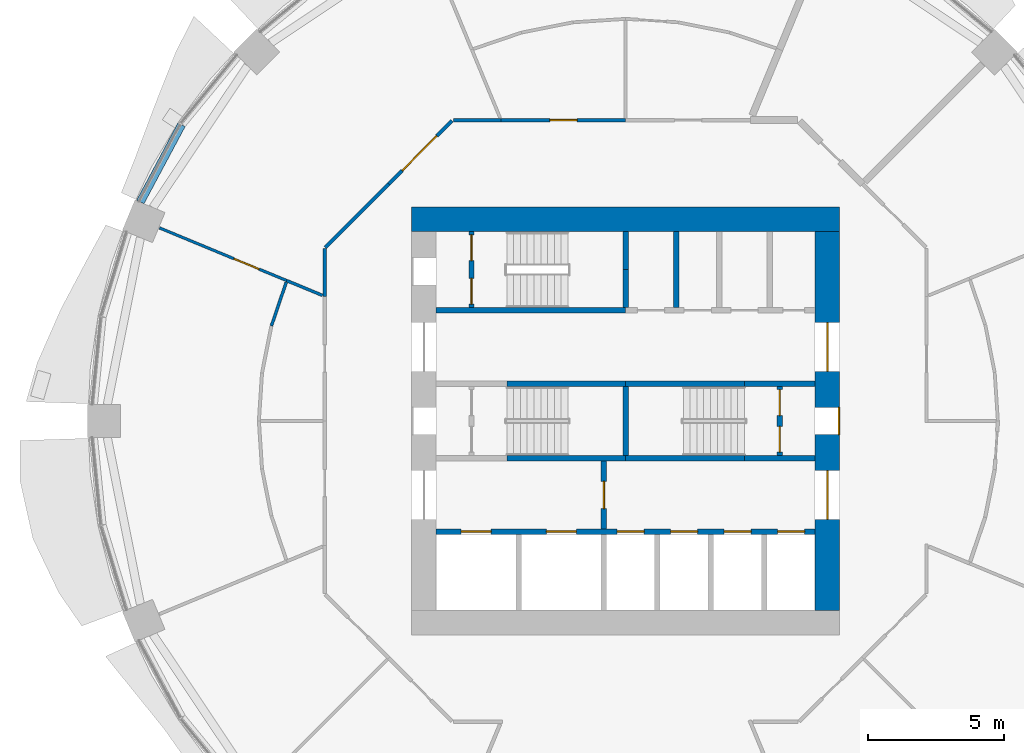
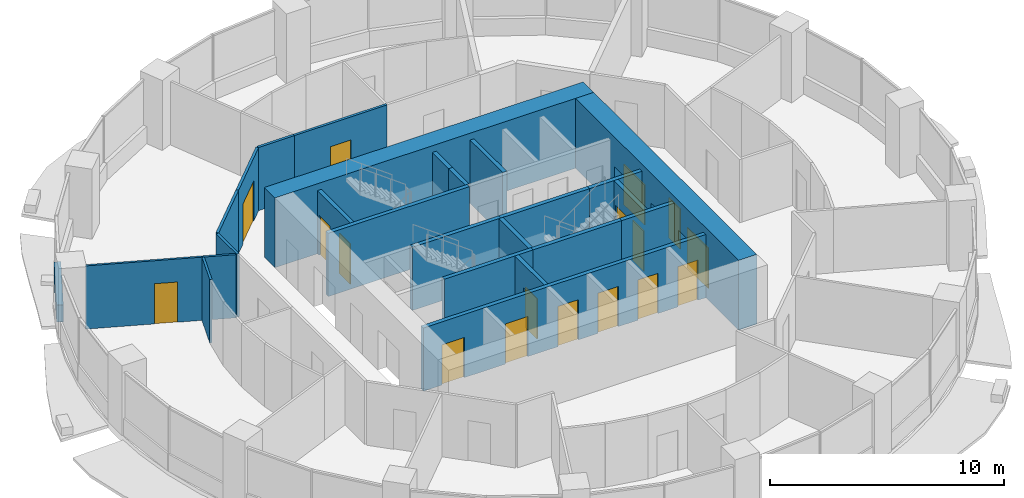
# One storey, part 9 of 15: 26 walls, 17 doors, 17 openings.
"""IFC4 building model written with IfcOpenShell, lengths in metres."""

from ifc_helpers import new_model, si_unit, direction, frame, frame_2d, origin, place, context, subcontext, project, spatial, rectangle, extrude, material, layer, layer_set, type_object, element, fill, save


model = new_model("IFC4")

# Units and contexts
model_context = context("Model", 3, precision=1e-05, world=origin(), true_north=direction((0.0, 1.0)))
body_context = subcontext(model_context, "Body", "Model", "MODEL_VIEW")
ifc_project = project(units=[si_unit("LENGTHUNIT", "METRE"), si_unit("AREAUNIT", "SQUARE_METRE"), si_unit("VOLUMEUNIT", "CUBIC_METRE"), si_unit("PLANEANGLEUNIT", "RADIAN"), si_unit("MASSUNIT", "GRAM", prefix="KILO")], contexts=[model_context])

# Site, building, storey
site_placement = place(None, origin())
site = spatial("IfcSite", under=ifc_project, at=site_placement, CompositionType="ELEMENT")
building_placement = place(site_placement, origin())
building = spatial("IfcBuilding", under=site, at=building_placement, Name="Polderwave Tower", CompositionType="ELEMENT")
storey_placement = place(building_placement, frame((0.0, 0.0, 29.85009765625)))
storey = spatial("IfcBuildingStorey", under=building, at=storey_placement, Name="L07", CompositionType="ELEMENT", Elevation=29.85009765625)

# Wall
ifc_material_1 = material(Name="Concrete C80/95", Category="concrete")
ifc_layer_1 = layer(ifc_material_1, 0.89990234375)
ifc_layer_set_1 = layer_set([ifc_layer_1], Name="CORE WALL 900 C80/95")
wall_type_1 = type_object("IfcWallType", Name="CORE WALL 900 C80/95", PredefinedType="SHEAR", material=ifc_layer_set_1)
wall_1_placement = place(storey_placement, frame((-7.8740234375, 7.424072265625, 0.0), z_axis=(0.0, 0.0, 1.0), x_axis=(1.0, 0.0, 0.0)))
element("IfcWall", 1, at=wall_1_placement, inside=storey, type_object=wall_type_1, Name="ST-CORE-L07-N", PredefinedType="SHEAR", context=body_context, shape_type="SweptSolid", body=[
    extrude(rectangle(XDim=15.748046875, YDim=0.89990234375, at=frame_2d((7.8740234375, 0.0))), origin(), (0.0, 0.0, 1.0), 3.64990234375),
])

# Wall, openings, doors
wall_2_placement = place(storey_placement, frame((7.424072265625, -6.97412109375, 0.0), z_axis=(0.0, 0.0, 1.0), x_axis=(0.0, 1.0, 0.0)))
wall_2 = element("IfcWall", 2, at=wall_2_placement, inside=storey, type_object=wall_type_1, Name="ST-CORE-L07-E", PredefinedType="SHEAR", context=body_context, shape_type="SweptSolid", body=[
    extrude(rectangle(XDim=13.9482421875, YDim=0.89990234375, at=frame_2d((6.97412109375, 0.0))), origin(), (0.0, 0.0, 1.0), 3.64990234375),
])
opening_1_placement = place(wall_2_placement, frame((6.47412109375, 0.0, 0.0)))
opening_1 = element("IfcOpeningElement", 3, at=opening_1_placement, cuts=wall_2, Name="Opening L07-D22", PredefinedType="OPENING", context=body_context, shape_type="SweptSolid", body=[
    extrude(rectangle(XDim=1.0, YDim=2.10009765625, at=frame_2d((0.5, 1.050048828125))), frame((0.0, 0.4599609375, 0.0), z_axis=(0.0, -1.0, 0.0), x_axis=(1.0, 0.0, 0.0)), (0.0, 0.0, 1.0), 0.919921875),
])
opening_2_placement = place(wall_2_placement, frame((3.349609375, 0.0, 0.0)))
opening_2 = element("IfcOpeningElement", 4, at=opening_2_placement, cuts=wall_2, Name="Opening L07-D23", PredefinedType="OPENING", context=body_context, shape_type="SweptSolid", body=[
    extrude(rectangle(XDim=1.800048828125, YDim=2.10009765625, at=frame_2d((0.89990234375, 1.050048828125))), frame((0.0, 0.4599609375, 0.0), z_axis=(0.0, -1.0, 0.0), x_axis=(1.0, 0.0, 0.0)), (0.0, 0.0, 1.0), 0.919921875),
])
opening_3_placement = place(wall_2_placement, frame((8.798583984375, 0.0, 0.0)))
opening_3 = element("IfcOpeningElement", 5, at=opening_3_placement, cuts=wall_2, Name="Opening L07-D24", PredefinedType="OPENING", context=body_context, shape_type="SweptSolid", body=[
    extrude(rectangle(XDim=1.800048828125, YDim=2.10009765625, at=frame_2d((0.89990234375, 1.050048828125))), frame((0.0, 0.4599609375, 0.0), z_axis=(0.0, -1.0, 0.0), x_axis=(1.0, 0.0, 0.0)), (0.0, 0.0, 1.0), 0.919921875),
])
ifc_material_2 = material(Name="Steel fire door", Category="steel")
door_type_1 = type_object("IfcDoorType", Name="Lobby entry door pair 1800", OperationType="DOUBLE_DOOR_SINGLE_SWING", PredefinedType="DOOR", material=ifc_material_2)
door_1_placement = place(opening_2_placement, frame((1.800048828125, 0.0, 0.0), z_axis=(0.0, 0.0, 1.0), x_axis=(-1.0, 0.0, 0.0)))
door_1 = element("IfcDoor", 6, at=door_1_placement, inside=storey, type_object=door_type_1, Name="South lobby entry door", OperationType="DOUBLE_DOOR_SINGLE_SWING", OverallHeight=2.10009765625, OverallWidth=1.800048828125, PredefinedType="DOOR", context=body_context, shape_type="SweptSolid", body=[
    extrude(rectangle(XDim=1.800048828125, YDim=2.10009765625, at=frame_2d((0.89990234375, 1.050048828125))), frame((0.0, 0.02490234375, 0.0), z_axis=(0.0, -1.0, 0.0), x_axis=(1.0, 0.0, 0.0)), (0.0, 0.0, 1.0), 0.050048828125),
])
fill(opening_2, door_1)
door_2_placement = place(opening_3_placement, frame((1.800048828125, 0.0, 0.0), z_axis=(0.0, 0.0, 1.0), x_axis=(-1.0, 0.0, 0.0)))
door_2 = element("IfcDoor", 7, at=door_2_placement, inside=storey, type_object=door_type_1, Name="North lobby entry door", OperationType="DOUBLE_DOOR_SINGLE_SWING", OverallHeight=2.10009765625, OverallWidth=1.800048828125, PredefinedType="DOOR", context=body_context, shape_type="SweptSolid", body=[
    extrude(rectangle(XDim=1.800048828125, YDim=2.10009765625, at=frame_2d((0.89990234375, 1.050048828125))), frame((0.0, 0.02490234375, 0.0), z_axis=(0.0, -1.0, 0.0), x_axis=(1.0, 0.0, 0.0)), (0.0, 0.0, 1.0), 0.050048828125),
])
fill(opening_3, door_2)
door_type_2 = type_object("IfcDoorType", Name="Stair door 1000", OperationType="NOTDEFINED", PredefinedType="DOOR", material=ifc_material_2)
door_3_placement = place(opening_1_placement, frame((1.0, 0.0, 0.0), z_axis=(0.0, 0.0, 1.0), x_axis=(-1.0, 0.0, 0.0)))
door_3 = element("IfcDoor", 8, at=door_3_placement, inside=storey, type_object=door_type_2, Name="Stair B entry door", OperationType="SINGLE_SWING_LEFT", OverallHeight=2.10009765625, OverallWidth=1.0, PredefinedType="DOOR", context=body_context, shape_type="SweptSolid", body=[
    extrude(rectangle(XDim=1.0, YDim=2.10009765625, at=frame_2d((0.5, 1.050048828125))), frame((0.0, 0.4501953125, 0.0), z_axis=(0.0, -1.0, 0.0), x_axis=(1.0, 0.0, 0.0)), (0.0, 0.0, 1.0), 0.050048828125),
])
fill(opening_1, door_3)

# Wall
ifc_material_3 = material(Name="Concrete C50/60 (board-marked)", Category="concrete")
ifc_layer_2 = layer(ifc_material_3, 0.300048828125)
ifc_layer_set_2 = layer_set([ifc_layer_2], Name="Concrete spandrel upstand C50/60")
wall_type_2 = type_object("IfcWallType", Name="Concrete spandrel upstand C50/60", PredefinedType="SOLIDWALL", material=ifc_layer_set_2)
wall_3_placement = place(storey_placement, frame((-16.34521484375, 10.90380859375, 0.0), z_axis=(0.0, 0.0, 1.0), x_axis=(-0.471217656413, -0.882016961449, 0.0)))
element("IfcWall", 9, at=wall_3_placement, inside=storey, type_object=wall_type_2, Name="Spandrel L07 7b", PredefinedType="SOLIDWALL", context=body_context, shape_type="SweptSolid", body=[
    extrude(rectangle(XDim=3.220458984375, YDim=0.300048828125, at=frame_2d((1.6103515625, 0.0))), origin(), (0.0, 0.0, 1.0), 0.89990234375),
])

# Wall, opening, door
ifc_material_4 = material(Name="Gypsum board partition")
ifc_layer_3 = layer(ifc_material_4, 0.199951171875)
ifc_layer_set_3 = layer_set([ifc_layer_3], Name="Core room partition 200")
wall_type_3 = type_object("IfcWallType", Name="Core room partition 200", PredefinedType="PARTITIONING", material=ifc_layer_set_3)
wall_4_placement = place(storey_placement, frame((-0.800048828125, -3.97412109375, 0.0), z_axis=(0.0, 0.0, 1.0), x_axis=(0.0, 1.0, 0.0)))
wall_4 = element("IfcWall", 10, at=wall_4_placement, inside=storey, type_object=wall_type_3, Name="L07 fire-fighting lobby wall", PredefinedType="PARTITIONING", context=body_context, shape_type="SweptSolid", body=[
    extrude(rectangle(XDim=2.4990234375, YDim=0.199951171875, at=frame_2d((1.24951171875, 0.0))), origin(), (0.0, 0.0, 1.0), 3.2998046875),
])
opening_4_placement = place(wall_4_placement, frame((0.74951171875, 0.0, 0.0)))
opening_4 = element("IfcOpeningElement", 11, at=opening_4_placement, cuts=wall_4, Name="Opening L07-D13", PredefinedType="OPENING", context=body_context, shape_type="SweptSolid", body=[
    extrude(rectangle(XDim=1.0, YDim=2.10009765625, at=frame_2d((0.5, 1.050048828125))), frame((0.0, 0.10986328125, 0.0), z_axis=(0.0, -1.0, 0.0), x_axis=(1.0, 0.0, 0.0)), (0.0, 0.0, 1.0), 0.219970703125),
])
door_type_3 = type_object("IfcDoorType", Name="Lobby fire door 1000", OperationType="NOTDEFINED", PredefinedType="DOOR", material=ifc_material_2)
door_4_placement = place(opening_4_placement, frame((1.0, 0.0, 0.0), z_axis=(0.0, 0.0, 1.0), x_axis=(-1.0, 0.0, 0.0)))
door_4 = element("IfcDoor", 12, at=door_4_placement, inside=storey, type_object=door_type_3, Name="Fire-fighting lobby door", OperationType="SINGLE_SWING_LEFT", OverallHeight=2.10009765625, OverallWidth=1.0, PredefinedType="DOOR", context=body_context, shape_type="SweptSolid", body=[
    extrude(rectangle(XDim=1.0, YDim=2.10009765625, at=frame_2d((0.5, 1.050048828125))), frame((0.0, 0.02490234375, 0.0), z_axis=(0.0, -1.0, 0.0), x_axis=(1.0, 0.0, 0.0)), (0.0, 0.0, 1.0), 0.050048828125),
])
fill(opening_4, door_4)

# Wall
wall_5_placement = place(storey_placement, frame((1.86083984375, 4.174072265625, 0.0), z_axis=(0.0, 0.0, 1.0), x_axis=(0.0, 1.0, 0.0)))
element("IfcWall", 13, at=wall_5_placement, inside=storey, type_object=wall_type_3, Name="L07 room partition N1", PredefinedType="PARTITIONING", context=body_context, shape_type="SweptSolid", body=[
    extrude(rectangle(XDim=2.800048828125, YDim=0.199951171875, at=frame_2d((1.39990234375, 0.0))), origin(), (0.0, 0.0, 1.0), 3.2998046875),
])

# Wall, openings, doors
wall_6_placement = place(storey_placement, frame((5.674072265625, -1.27490234375, 0.0), z_axis=(0.0, 0.0, 1.0), x_axis=(0.0, 1.0, 0.0)))
wall_6 = element("IfcWall", 14, at=wall_6_placement, inside=storey, type_object=wall_type_3, Name="L07 smoke lobby wall B", PredefinedType="PARTITIONING", context=body_context, shape_type="SweptSolid", body=[
    extrude(rectangle(XDim=2.5498046875, YDim=0.199951171875, at=frame_2d((1.27490234375, 0.0))), origin(), (0.0, 0.0, 1.0), 3.2998046875),
])
opening_5_placement = place(wall_6_placement, frame((0.125, 0.0, 0.0)))
opening_5 = element("IfcOpeningElement", 15, at=opening_5_placement, cuts=wall_6, Name="Opening L07-D09", PredefinedType="OPENING", context=body_context, shape_type="SweptSolid", body=[
    extrude(rectangle(XDim=0.949951171875, YDim=2.10009765625, at=frame_2d((0.47509765625, 1.050048828125))), frame((0.0, 0.10986328125, 0.0), z_axis=(0.0, -1.0, 0.0), x_axis=(1.0, 0.0, 0.0)), (0.0, 0.0, 1.0), 0.219970703125),
])
opening_6_placement = place(wall_6_placement, frame((1.47509765625, 0.0, 0.0)))
opening_6 = element("IfcOpeningElement", 16, at=opening_6_placement, cuts=wall_6, Name="Opening L07-D10", PredefinedType="OPENING", context=body_context, shape_type="SweptSolid", body=[
    extrude(rectangle(XDim=0.949951171875, YDim=2.10009765625, at=frame_2d((0.47509765625, 1.050048828125))), frame((0.0, 0.10986328125, 0.0), z_axis=(0.0, -1.0, 0.0), x_axis=(1.0, 0.0, 0.0)), (0.0, 0.0, 1.0), 0.219970703125),
])
door_type_4 = type_object("IfcDoorType", Name="Smoke lobby door 950", OperationType="NOTDEFINED", PredefinedType="DOOR", material=ifc_material_2)
door_5_placement = place(opening_5_placement, frame((0.949951171875, 0.0, 0.0), z_axis=(0.0, 0.0, 1.0), x_axis=(-1.0, 0.0, 0.0)))
door_5 = element("IfcDoor", 17, at=door_5_placement, inside=storey, type_object=door_type_4, Name="Stair B smoke lobby inner door", OperationType="SINGLE_SWING_RIGHT", OverallHeight=2.10009765625, OverallWidth=0.949951171875, PredefinedType="DOOR", context=body_context, shape_type="SweptSolid", body=[
    extrude(rectangle(XDim=0.949951171875, YDim=2.10009765625, at=frame_2d((0.47509765625, 1.050048828125))), frame((0.0, 0.02490234375, 0.0), z_axis=(0.0, -1.0, 0.0), x_axis=(1.0, 0.0, 0.0)), (0.0, 0.0, 1.0), 0.050048828125),
])
fill(opening_5, door_5)
door_6_placement = place(opening_6_placement, frame((0.949951171875, 0.0, 0.0), z_axis=(0.0, 0.0, 1.0), x_axis=(-1.0, 0.0, 0.0)))
door_6 = element("IfcDoor", 18, at=door_6_placement, inside=storey, type_object=door_type_4, Name="Stair B smoke lobby inner door", OperationType="SINGLE_SWING_LEFT", OverallHeight=2.10009765625, OverallWidth=0.949951171875, PredefinedType="DOOR", context=body_context, shape_type="SweptSolid", body=[
    extrude(rectangle(XDim=0.949951171875, YDim=2.10009765625, at=frame_2d((0.47509765625, 1.050048828125))), frame((0.0, 0.02490234375, 0.0), z_axis=(0.0, -1.0, 0.0), x_axis=(1.0, 0.0, 0.0)), (0.0, 0.0, 1.0), 0.050048828125),
])
fill(opening_6, door_6)

wall_7_placement = place(storey_placement, frame((-5.674072265625, 4.174072265625, 0.0), z_axis=(0.0, 0.0, 1.0), x_axis=(0.0, 1.0, 0.0)))
wall_7 = element("IfcWall", 19, at=wall_7_placement, inside=storey, type_object=wall_type_3, Name="L07 smoke lobby wall C", PredefinedType="PARTITIONING", context=body_context, shape_type="SweptSolid", body=[
    extrude(rectangle(XDim=2.800048828125, YDim=0.199951171875, at=frame_2d((1.39990234375, 0.0))), origin(), (0.0, 0.0, 1.0), 3.2998046875),
])
opening_7_placement = place(wall_7_placement, frame((0.125, 0.0, 0.0)))
opening_7 = element("IfcOpeningElement", 20, at=opening_7_placement, cuts=wall_7, Name="Opening L07-D11", PredefinedType="OPENING", context=body_context, shape_type="SweptSolid", body=[
    extrude(rectangle(XDim=0.949951171875, YDim=2.10009765625, at=frame_2d((0.47509765625, 1.050048828125))), frame((0.0, 0.10986328125, 0.0), z_axis=(0.0, -1.0, 0.0), x_axis=(1.0, 0.0, 0.0)), (0.0, 0.0, 1.0), 0.219970703125),
])
opening_8_placement = place(wall_7_placement, frame((1.72509765625, 0.0, 0.0)))
opening_8 = element("IfcOpeningElement", 21, at=opening_8_placement, cuts=wall_7, Name="Opening L07-D12", PredefinedType="OPENING", context=body_context, shape_type="SweptSolid", body=[
    extrude(rectangle(XDim=0.949951171875, YDim=2.10009765625, at=frame_2d((0.47509765625, 1.050048828125))), frame((0.0, 0.10986328125, 0.0), z_axis=(0.0, -1.0, 0.0), x_axis=(1.0, 0.0, 0.0)), (0.0, 0.0, 1.0), 0.219970703125),
])
door_7_placement = place(opening_7_placement, origin())
door_7 = element("IfcDoor", 22, at=door_7_placement, inside=storey, type_object=door_type_4, Name="Stair C smoke lobby inner door", OperationType="SINGLE_SWING_LEFT", OverallHeight=2.10009765625, OverallWidth=0.949951171875, PredefinedType="DOOR", context=body_context, shape_type="SweptSolid", body=[
    extrude(rectangle(XDim=0.949951171875, YDim=2.10009765625, at=frame_2d((0.47509765625, 1.050048828125))), frame((0.0, 0.02490234375, 0.0), z_axis=(0.0, -1.0, 0.0), x_axis=(1.0, 0.0, 0.0)), (0.0, 0.0, 1.0), 0.050048828125),
])
fill(opening_7, door_7)
door_8_placement = place(opening_8_placement, origin())
door_8 = element("IfcDoor", 23, at=door_8_placement, inside=storey, type_object=door_type_4, Name="Stair C smoke lobby inner door", OperationType="SINGLE_SWING_RIGHT", OverallHeight=2.10009765625, OverallWidth=0.949951171875, PredefinedType="DOOR", context=body_context, shape_type="SweptSolid", body=[
    extrude(rectangle(XDim=0.949951171875, YDim=2.10009765625, at=frame_2d((0.47509765625, 1.050048828125))), frame((0.0, 0.02490234375, 0.0), z_axis=(0.0, -1.0, 0.0), x_axis=(1.0, 0.0, 0.0)), (0.0, 0.0, 1.0), 0.050048828125),
])
fill(opening_8, door_8)

ifc_material_5 = material(Name="Concrete C50/60", Category="concrete")
ifc_layer_4 = layer(ifc_material_5, 0.199951171875)
ifc_layer_set_4 = layer_set([ifc_layer_4], Name="Core web wall 200")
wall_type_4 = type_object("IfcWallType", Name="Core web wall 200", PredefinedType="SHEAR", material=ifc_layer_set_4)
wall_8_placement = place(storey_placement, frame((-6.97412109375, -4.073974609375, 0.0), z_axis=(0.0, 0.0, 1.0), x_axis=(1.0, 0.0, 0.0)))
wall_8 = element("IfcWall", 24, at=wall_8_placement, inside=storey, type_object=wall_type_4, Name="L07 south front wall", PredefinedType="SHEAR", context=body_context, shape_type="SweptSolid", body=[
    extrude(rectangle(XDim=13.9482421875, YDim=0.199951171875, at=frame_2d((6.97412109375, 0.0))), origin(), (0.0, 0.0, 1.0), 3.2998046875),
])
opening_9_placement = place(wall_8_placement, frame((0.91845703125, 0.0, 0.0)))
opening_9 = element("IfcOpeningElement", 25, at=opening_9_placement, cuts=wall_8, Name="Opening L07-D01", PredefinedType="OPENING", context=body_context, shape_type="SweptSolid", body=[
    extrude(rectangle(XDim=1.10009765625, YDim=2.10009765625, at=frame_2d((0.550048828125, 1.050048828125))), frame((0.0, 0.10986328125, 0.0), z_axis=(0.0, -1.0, 0.0), x_axis=(1.0, 0.0, 0.0)), (0.0, 0.0, 1.0), 0.219970703125),
])
opening_10_placement = place(wall_8_placement, frame((4.055419921875, 0.0, 0.0)))
opening_10 = element("IfcOpeningElement", 26, at=opening_10_placement, cuts=wall_8, Name="Opening L07-D02", PredefinedType="OPENING", context=body_context, shape_type="SweptSolid", body=[
    extrude(rectangle(XDim=1.10009765625, YDim=2.10009765625, at=frame_2d((0.550048828125, 1.050048828125))), frame((0.0, 0.10986328125, 0.0), z_axis=(0.0, -1.0, 0.0), x_axis=(1.0, 0.0, 0.0)), (0.0, 0.0, 1.0), 0.219970703125),
])
opening_11_placement = place(wall_8_placement, frame((6.658203125, 0.0, 0.0)))
opening_11 = element("IfcOpeningElement", 27, at=opening_11_placement, cuts=wall_8, Name="Opening L07-D03", PredefinedType="OPENING", context=body_context, shape_type="SweptSolid", body=[
    extrude(rectangle(XDim=1.0, YDim=2.10009765625, at=frame_2d((0.5, 1.050048828125))), frame((0.0, 0.10986328125, 0.0), z_axis=(0.0, -1.0, 0.0), x_axis=(1.0, 0.0, 0.0)), (0.0, 0.0, 1.0), 0.219970703125),
])
opening_12_placement = place(wall_8_placement, frame((8.626708984375, 0.0, 0.0)))
opening_12 = element("IfcOpeningElement", 28, at=opening_12_placement, cuts=wall_8, Name="Opening L07-D04", PredefinedType="OPENING", context=body_context, shape_type="SweptSolid", body=[
    extrude(rectangle(XDim=1.0, YDim=2.10009765625, at=frame_2d((0.5, 1.050048828125))), frame((0.0, 0.10986328125, 0.0), z_axis=(0.0, -1.0, 0.0), x_axis=(1.0, 0.0, 0.0)), (0.0, 0.0, 1.0), 0.219970703125),
])
opening_13_placement = place(wall_8_placement, frame((10.59521484375, 0.0, 0.0)))
opening_13 = element("IfcOpeningElement", 29, at=opening_13_placement, cuts=wall_8, Name="Opening L07-D05", PredefinedType="OPENING", context=body_context, shape_type="SweptSolid", body=[
    extrude(rectangle(XDim=1.0, YDim=2.10009765625, at=frame_2d((0.5, 1.050048828125))), frame((0.0, 0.10986328125, 0.0), z_axis=(0.0, -1.0, 0.0), x_axis=(1.0, 0.0, 0.0)), (0.0, 0.0, 1.0), 0.219970703125),
])
opening_14_placement = place(wall_8_placement, frame((12.563720703125, 0.0, 0.0)))
opening_14 = element("IfcOpeningElement", 30, at=opening_14_placement, cuts=wall_8, Name="Opening L07-D06", PredefinedType="OPENING", context=body_context, shape_type="SweptSolid", body=[
    extrude(rectangle(XDim=1.0, YDim=2.10009765625, at=frame_2d((0.5, 1.050048828125))), frame((0.0, 0.10986328125, 0.0), z_axis=(0.0, -1.0, 0.0), x_axis=(1.0, 0.0, 0.0)), (0.0, 0.0, 1.0), 0.219970703125),
])
ifc_material_6 = material(Name="Stainless steel", Category="steel")
door_type_5 = type_object("IfcDoorType", Name="Fire-fighting lift landing door 1100", OperationType="DOUBLE_DOOR_SLIDING", PredefinedType="DOOR", material=ifc_material_6)
door_9_placement = place(opening_9_placement, origin())
door_9 = element("IfcDoor", 31, at=door_9_placement, inside=storey, type_object=door_type_5, Name="Fire-fighting lift FF1 landing door", OperationType="DOUBLE_DOOR_SLIDING", OverallHeight=2.10009765625, OverallWidth=1.10009765625, PredefinedType="DOOR", context=body_context, shape_type="SweptSolid", body=[
    extrude(rectangle(XDim=1.10009765625, YDim=2.10009765625, at=frame_2d((0.550048828125, 1.050048828125))), frame((0.0, 0.02490234375, 0.0), z_axis=(0.0, -1.0, 0.0), x_axis=(1.0, 0.0, 0.0)), (0.0, 0.0, 1.0), 0.050048828125),
])
fill(opening_9, door_9)
door_10_placement = place(opening_10_placement, origin())
door_10 = element("IfcDoor", 32, at=door_10_placement, inside=storey, type_object=door_type_5, Name="Fire-fighting lift FF2 landing door", OperationType="DOUBLE_DOOR_SLIDING", OverallHeight=2.10009765625, OverallWidth=1.10009765625, PredefinedType="DOOR", context=body_context, shape_type="SweptSolid", body=[
    extrude(rectangle(XDim=1.10009765625, YDim=2.10009765625, at=frame_2d((0.550048828125, 1.050048828125))), frame((0.0, 0.02490234375, 0.0), z_axis=(0.0, -1.0, 0.0), x_axis=(1.0, 0.0, 0.0)), (0.0, 0.0, 1.0), 0.050048828125),
])
fill(opening_10, door_10)
door_type_6 = type_object("IfcDoorType", Name="Lift landing door 1000", OperationType="DOUBLE_DOOR_SLIDING", PredefinedType="DOOR", material=ifc_material_6)
door_11_placement = place(opening_11_placement, origin())
door_11 = element("IfcDoor", 33, at=door_11_placement, inside=storey, type_object=door_type_6, Name="Lift LL1 landing door", OperationType="DOUBLE_DOOR_SLIDING", OverallHeight=2.10009765625, OverallWidth=1.0, PredefinedType="DOOR", context=body_context, shape_type="SweptSolid", body=[
    extrude(rectangle(XDim=1.0, YDim=2.10009765625, at=frame_2d((0.5, 1.050048828125))), frame((0.0, 0.02490234375, 0.0), z_axis=(0.0, -1.0, 0.0), x_axis=(1.0, 0.0, 0.0)), (0.0, 0.0, 1.0), 0.050048828125),
])
fill(opening_11, door_11)
door_12_placement = place(opening_12_placement, origin())
door_12 = element("IfcDoor", 34, at=door_12_placement, inside=storey, type_object=door_type_6, Name="Lift LL2 landing door", OperationType="DOUBLE_DOOR_SLIDING", OverallHeight=2.10009765625, OverallWidth=1.0, PredefinedType="DOOR", context=body_context, shape_type="SweptSolid", body=[
    extrude(rectangle(XDim=1.0, YDim=2.10009765625, at=frame_2d((0.5, 1.050048828125))), frame((0.0, 0.02490234375, 0.0), z_axis=(0.0, -1.0, 0.0), x_axis=(1.0, 0.0, 0.0)), (0.0, 0.0, 1.0), 0.050048828125),
])
fill(opening_12, door_12)
door_13_placement = place(opening_13_placement, origin())
door_13 = element("IfcDoor", 35, at=door_13_placement, inside=storey, type_object=door_type_6, Name="Lift LL3 landing door", OperationType="DOUBLE_DOOR_SLIDING", OverallHeight=2.10009765625, OverallWidth=1.0, PredefinedType="DOOR", context=body_context, shape_type="SweptSolid", body=[
    extrude(rectangle(XDim=1.0, YDim=2.10009765625, at=frame_2d((0.5, 1.050048828125))), frame((0.0, 0.02490234375, 0.0), z_axis=(0.0, -1.0, 0.0), x_axis=(1.0, 0.0, 0.0)), (0.0, 0.0, 1.0), 0.050048828125),
])
fill(opening_13, door_13)
door_14_placement = place(opening_14_placement, origin())
door_14 = element("IfcDoor", 36, at=door_14_placement, inside=storey, type_object=door_type_6, Name="Lift LL4 landing door", OperationType="DOUBLE_DOOR_SLIDING", OverallHeight=2.10009765625, OverallWidth=1.0, PredefinedType="DOOR", context=body_context, shape_type="SweptSolid", body=[
    extrude(rectangle(XDim=1.0, YDim=2.10009765625, at=frame_2d((0.5, 1.050048828125))), frame((0.0, 0.02490234375, 0.0), z_axis=(0.0, -1.0, 0.0), x_axis=(1.0, 0.0, 0.0)), (0.0, 0.0, 1.0), 0.050048828125),
])
fill(opening_14, door_14)

# Walls
wall_9_placement = place(storey_placement, frame((-6.97412109375, 4.073974609375, 0.0), z_axis=(0.0, 0.0, 1.0), x_axis=(1.0, 0.0, 0.0)))
element("IfcWall", 37, at=wall_9_placement, inside=storey, type_object=wall_type_4, Name="L07 north front wall 1", PredefinedType="SHEAR", context=body_context, shape_type="SweptSolid", body=[
    extrude(rectangle(XDim=6.97412109375, YDim=0.199951171875, at=frame_2d((3.487060546875, 0.0))), origin(), (0.0, 0.0, 1.0), 3.2998046875),
])
for number, where, z_axis, x_axis, name in (
    (38, (-4.3740234375, -1.375, 0.0), (0.0, 0.0, 1.0), (1.0, 0.0, 0.0), "L07 south stair wall 2"),
    (39, (0.0, -1.375, 0.0), (0.0, 0.0, 1.0), (1.0, 0.0, 0.0), "L07 south stair wall 3"),
):
    element("IfcWall", number, at=place(storey_placement, frame(where, z_axis=z_axis, x_axis=x_axis)), inside=storey, type_object=wall_type_4, Name=name, PredefinedType="SHEAR", context=body_context, shape_type="SweptSolid", body=[
        extrude(rectangle(XDim=4.3740234375, YDim=0.199951171875, at=frame_2d((2.18701171875, 0.0))), origin(), (0.0, 0.0, 1.0), 3.2998046875),
    ])
wall_10_placement = place(storey_placement, frame((4.3740234375, -1.375, 0.0), z_axis=(0.0, 0.0, 1.0), x_axis=(1.0, 0.0, 0.0)))
element("IfcWall", 40, at=wall_10_placement, inside=storey, type_object=wall_type_4, Name="L07 south stair wall 4", PredefinedType="SHEAR", context=body_context, shape_type="SweptSolid", body=[
    extrude(rectangle(XDim=2.60009765625, YDim=0.199951171875, at=frame_2d((1.300048828125, 0.0))), origin(), (0.0, 0.0, 1.0), 3.2998046875),
])
for number, where, z_axis, x_axis, name in (
    (41, (-4.3740234375, 1.375, 0.0), (0.0, 0.0, 1.0), (1.0, 0.0, 0.0), "L07 north stair wall 2"),
    (42, (0.0, 1.375, 0.0), (0.0, 0.0, 1.0), (1.0, 0.0, 0.0), "L07 north stair wall 3"),
):
    element("IfcWall", number, at=place(storey_placement, frame(where, z_axis=z_axis, x_axis=x_axis)), inside=storey, type_object=wall_type_4, Name=name, PredefinedType="SHEAR", context=body_context, shape_type="SweptSolid", body=[
        extrude(rectangle(XDim=4.3740234375, YDim=0.199951171875, at=frame_2d((2.18701171875, 0.0))), origin(), (0.0, 0.0, 1.0), 3.2998046875),
    ])
wall_11_placement = place(storey_placement, frame((4.3740234375, 1.375, 0.0), z_axis=(0.0, 0.0, 1.0), x_axis=(1.0, 0.0, 0.0)))
element("IfcWall", 43, at=wall_11_placement, inside=storey, type_object=wall_type_4, Name="L07 north stair wall 4", PredefinedType="SHEAR", context=body_context, shape_type="SweptSolid", body=[
    extrude(rectangle(XDim=2.60009765625, YDim=0.199951171875, at=frame_2d((1.300048828125, 0.0))), origin(), (0.0, 0.0, 1.0), 3.2998046875),
])
wall_12_placement = place(storey_placement, frame((0.0, -1.27490234375, 0.0), z_axis=(0.0, 0.0, 1.0), x_axis=(0.0, 1.0, 0.0)))
element("IfcWall", 44, at=wall_12_placement, inside=storey, type_object=wall_type_4, Name="L07 wall between the stairs", PredefinedType="SHEAR", context=body_context, shape_type="SweptSolid", body=[
    extrude(rectangle(XDim=2.5498046875, YDim=0.199951171875, at=frame_2d((1.27490234375, 0.0))), origin(), (0.0, 0.0, 1.0), 3.2998046875),
])
wall_13_placement = place(storey_placement, frame((0.0, 4.174072265625, 0.0), z_axis=(0.0, 0.0, 1.0), x_axis=(0.0, 1.0, 0.0)))
element("IfcWall", 45, at=wall_13_placement, inside=storey, type_object=wall_type_4, Name="L07 stair C wall south", PredefinedType="SHEAR", context=body_context, shape_type="SweptSolid", body=[
    extrude(rectangle(XDim=1.39990234375, YDim=0.199951171875, at=frame_2d((0.699951171875, 0.0))), origin(), (0.0, 0.0, 1.0), 3.2998046875),
])
wall_14_placement = place(storey_placement, frame((0.0, 5.573974609375, 0.0), z_axis=(0.0, 0.0, 1.0), x_axis=(0.0, 1.0, 0.0)))
element("IfcWall", 46, at=wall_14_placement, inside=storey, type_object=wall_type_4, Name="L07 stair C wall north", PredefinedType="SHEAR", context=body_context, shape_type="SweptSolid", body=[
    extrude(rectangle(XDim=1.400146484375, YDim=0.199951171875, at=frame_2d((0.7001953125, 0.0))), origin(), (0.0, 0.0, 1.0), 3.2998046875),
])

# Wall, opening, door
ifc_material_7 = material(Name="Fire-resisting board on steel studs", Category="steel")
ifc_layer_5 = layer(ifc_material_7, 0.125)
ifc_layer_set_5 = layer_set([ifc_layer_5], Name="Corridor wall 125 mm EI 60")
wall_type_5 = type_object("IfcWallType", Name="Corridor wall 125 mm EI 60", PredefinedType="PARTITIONING", material=ifc_layer_set_5)
wall_15_placement = place(storey_placement, frame((-4.5869140625, 11.073974609375, 0.0), z_axis=(0.0, 0.0, 1.0), x_axis=(1.0, 0.0, 0.0)))
wall_15 = element("IfcWall", 47, at=wall_15_placement, inside=storey, type_object=wall_type_5, Name="IN-L07-W009", PredefinedType="PARTITIONING", context=body_context, shape_type="SweptSolid", body=[
    extrude(rectangle(XDim=4.5869140625, YDim=0.125, at=frame_2d((2.29345703125, 0.0))), origin(), (0.0, 0.0, 1.0), 3.2998046875),
])
opening_15_placement = place(wall_15_placement, frame((1.800048828125, 0.0, 0.0)))
opening_15 = element("IfcOpeningElement", 48, at=opening_15_placement, cuts=wall_15, Name="Opening L07-D55", PredefinedType="OPENING", context=body_context, shape_type="SweptSolid", body=[
    extrude(rectangle(XDim=1.0, YDim=2.10009765625, at=frame_2d((0.5, 1.050048828125))), frame((0.0, 0.072509765625, 0.0), z_axis=(0.0, -1.0, 0.0), x_axis=(1.0, 0.0, 0.0)), (0.0, 0.0, 1.0), 0.14501953125),
])
ifc_material_8 = material(Name="Timber fire door leaf", Category="wood")
door_type_7 = type_object("IfcDoorType", Name="Fire door FD30S 1000 x 2100", OperationType="NOTDEFINED", PredefinedType="DOOR", material=ifc_material_8)
door_15_placement = place(opening_15_placement, origin())
door_15 = element("IfcDoor", 49, at=door_15_placement, inside=storey, type_object=door_type_7, Name="Door L07-D55", OperationType="SINGLE_SWING_RIGHT", OverallHeight=2.10009765625, OverallWidth=1.0, PredefinedType="DOOR", context=body_context, shape_type="SweptSolid", body=[
    extrude(rectangle(XDim=1.0, YDim=2.10009765625, at=frame_2d((0.5, 1.050048828125))), frame((0.0, 0.02490234375, 0.0), z_axis=(0.0, -1.0, 0.0), x_axis=(1.0, 0.0, 0.0)), (0.0, 0.0, 1.0), 0.050048828125),
])
fill(opening_15, door_15)

wall_16_placement = place(storey_placement, frame((-8.722412109375, 8.722412109375, 0.0), z_axis=(0.0, 0.0, 1.0), x_axis=(0.707069784102, 0.707143776336, 0.0)))
wall_16 = element("IfcWall", 50, at=wall_16_placement, inside=storey, type_object=wall_type_5, Name="IN-L07-W010", PredefinedType="PARTITIONING", context=body_context, shape_type="SweptSolid", body=[
    extrude(rectangle(XDim=3.299560546875, YDim=0.125, at=frame_2d((1.64990234375, 0.0))), origin(), (0.0, 0.0, 1.0), 3.2998046875),
])
opening_16_placement = place(wall_16_placement, frame((0.699951171875, 0.0, 0.0)))
opening_16 = element("IfcOpeningElement", 51, at=opening_16_placement, cuts=wall_16, Name="Opening L07-D56", PredefinedType="OPENING", context=body_context, shape_type="SweptSolid", body=[
    extrude(rectangle(XDim=1.800048828125, YDim=2.10009765625, at=frame_2d((0.89990234375, 1.050048828125))), frame((0.0, 0.072509765625, 0.0), z_axis=(0.0, -1.0, 0.0), x_axis=(1.0, 0.0, 0.0)), (0.0, 0.0, 1.0), 0.14501953125),
])
ifc_material_9 = material(Name="Timber fire door leaves", Category="wood")
door_type_8 = type_object("IfcDoorType", Name="Double fire door FD30S 1800 x 2100", OperationType="NOTDEFINED", PredefinedType="DOOR", material=ifc_material_9)
door_16_placement = place(opening_16_placement, origin())
door_16 = element("IfcDoor", 52, at=door_16_placement, inside=storey, type_object=door_type_8, Name="Door L07-D56", OperationType="DOUBLE_DOOR_SINGLE_SWING", OverallHeight=2.10009765625, OverallWidth=1.800048828125, PredefinedType="DOOR", context=body_context, shape_type="SweptSolid", body=[
    extrude(rectangle(XDim=1.800048828125, YDim=2.10009765625, at=frame_2d((0.89990234375, 1.050048828125))), frame((0.0, 0.02490234375, 0.0), z_axis=(0.0, -1.0, 0.0), x_axis=(1.0, 0.0, 0.0)), (0.0, 0.0, 1.0), 0.050048828125),
])
fill(opening_16, door_16)

# Walls
for number, where, z_axis, x_axis, name in (
    (53, (-6.34521484375, 11.073974609375, 0.0), (0.0, 0.0, 1.0), (1.0, 0.0, 0.0), "IN-L07-W011"),
    (54, (-11.073974609375, 4.5869140625, 0.0), (0.0, 0.0, 1.0), (0.0, 1.0, 0.0), "IN-L07-W012"),
):
    element("IfcWall", number, at=place(storey_placement, frame(where, z_axis=z_axis, x_axis=x_axis)), inside=storey, type_object=wall_type_5, Name=name, PredefinedType="PARTITIONING", context=body_context, shape_type="SweptSolid", body=[
        extrude(rectangle(XDim=1.75830078125, YDim=0.125, at=frame_2d((0.879150390625, 0.0))), origin(), (0.0, 0.0, 1.0), 3.2998046875),
    ])
wall_17_placement = place(storey_placement, frame((-11.0556640625, 6.389404296875, 0.0), z_axis=(0.0, 0.0, 1.0), x_axis=(0.707143776336, 0.707069784102, 0.0)))
element("IfcWall", 55, at=wall_17_placement, inside=storey, type_object=wall_type_5, Name="IN-L07-W013", PredefinedType="PARTITIONING", context=body_context, shape_type="SweptSolid", body=[
    extrude(rectangle(XDim=3.299560546875, YDim=0.125, at=frame_2d((1.64990234375, 0.0))), origin(), (0.0, 0.0, 1.0), 3.2998046875),
])

# Wall, opening, door
ifc_material_10 = material(Name="Plasterboard on steel studs", Category="steel")
ifc_layer_6 = layer(ifc_material_10, 0.10009765625)
ifc_layer_set_6 = layer_set([ifc_layer_6], Name="Partition 100 mm plasterboard on steel studs")
wall_type_6 = type_object("IfcWallType", Name="Partition 100 mm plasterboard on steel studs", PredefinedType="PARTITIONING", material=ifc_layer_set_6)
wall_18_placement = place(storey_placement, frame((-12.472412109375, 5.166259765625, 0.0), z_axis=(0.0, 0.0, 1.0), x_axis=(-0.923881258966, 0.382679264308, 0.0)))
wall_18 = element("IfcWall", 56, at=wall_18_placement, inside=storey, type_object=wall_type_6, Name="IN-L07-W045", PredefinedType="PARTITIONING", context=body_context, shape_type="SweptSolid", body=[
    extrude(rectangle(XDim=5.070068359375, YDim=0.10009765625, at=frame_2d((2.53515625, 0.0))), origin(), (0.0, 0.0, 1.0), 3.2998046875),
])
opening_17_placement = place(wall_18_placement, frame((1.10009765625, 0.0, 0.0)))
opening_17 = element("IfcOpeningElement", 57, at=opening_17_placement, cuts=wall_18, Name="Opening L07-D64", PredefinedType="OPENING", context=body_context, shape_type="SweptSolid", body=[
    extrude(rectangle(XDim=1.0, YDim=2.10009765625, at=frame_2d((0.5, 1.050048828125))), frame((0.0, 0.06005859375, 0.0), z_axis=(0.0, -1.0, 0.0), x_axis=(1.0, 0.0, 0.0)), (0.0, 0.0, 1.0), 0.1201171875),
])
ifc_material_11 = material(Name="Timber veneer door leaf", Category="wood")
door_type_9 = type_object("IfcDoorType", Name="Single door 1000 x 2100", OperationType="NOTDEFINED", PredefinedType="DOOR", material=ifc_material_11)
door_17_placement = place(opening_17_placement, origin())
door_17 = element("IfcDoor", 58, at=door_17_placement, inside=storey, type_object=door_type_9, Name="Door L07-D64", OperationType="SINGLE_SWING_LEFT", OverallHeight=2.10009765625, OverallWidth=1.0, PredefinedType="DOOR", context=body_context, shape_type="SweptSolid", body=[
    extrude(rectangle(XDim=1.0, YDim=2.10009765625, at=frame_2d((0.5, 1.050048828125))), frame((0.0, 0.02490234375, 0.0), z_axis=(0.0, -1.0, 0.0), x_axis=(1.0, 0.0, 0.0)), (0.0, 0.0, 1.0), 0.050048828125),
])
fill(opening_17, door_17)

# Walls
ifc_material_12 = material(Name="Acoustic double plasterboard on steel studs", Category="steel")
ifc_layer_7 = layer(ifc_material_12, 0.110107421875)
ifc_layer_set_7 = layer_set([ifc_layer_7], Name="Partition 110 mm acoustic double board")
wall_type_7 = type_object("IfcWallType", Name="Partition 110 mm acoustic double board", PredefinedType="PARTITIONING", material=ifc_layer_set_7)
wall_19_placement = place(storey_placement, frame((-11.157470703125, 4.62158203125, 0.0), z_axis=(0.0, 0.0, 1.0), x_axis=(-0.923876757744, 0.382690131178, 0.0)))
element("IfcWall", 59, at=wall_19_placement, inside=storey, type_object=wall_type_7, Name="IN-L07-W044", PredefinedType="PARTITIONING", context=body_context, shape_type="SweptSolid", body=[
    extrude(rectangle(XDim=1.42333984375, YDim=0.110107421875, at=frame_2d((0.711669921875, 0.0))), origin(), (0.0, 0.0, 1.0), 3.2998046875),
])
wall_20_placement = place(storey_placement, frame((-13.038818359375, 3.49755859375, 0.0), z_axis=(0.0, 0.0, 1.0), x_axis=(0.3214684719, 0.946920282587, 0.0)))
element("IfcWall", 60, at=wall_20_placement, inside=storey, type_object=wall_type_7, Name="IN-L07-W048", PredefinedType="PARTITIONING", context=body_context, shape_type="SweptSolid", body=[
    extrude(rectangle(XDim=1.703369140625, YDim=0.110107421875, at=frame_2d((0.8515625, 0.0))), origin(), (0.0, 0.0, 1.0), 3.2998046875),
])

save(model, "model.ifc")
